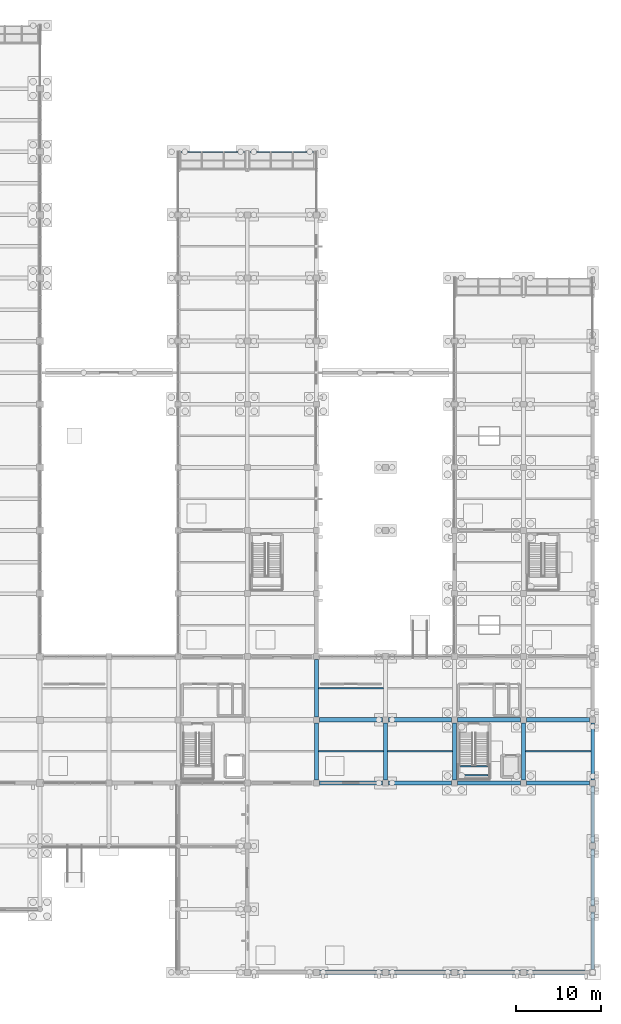
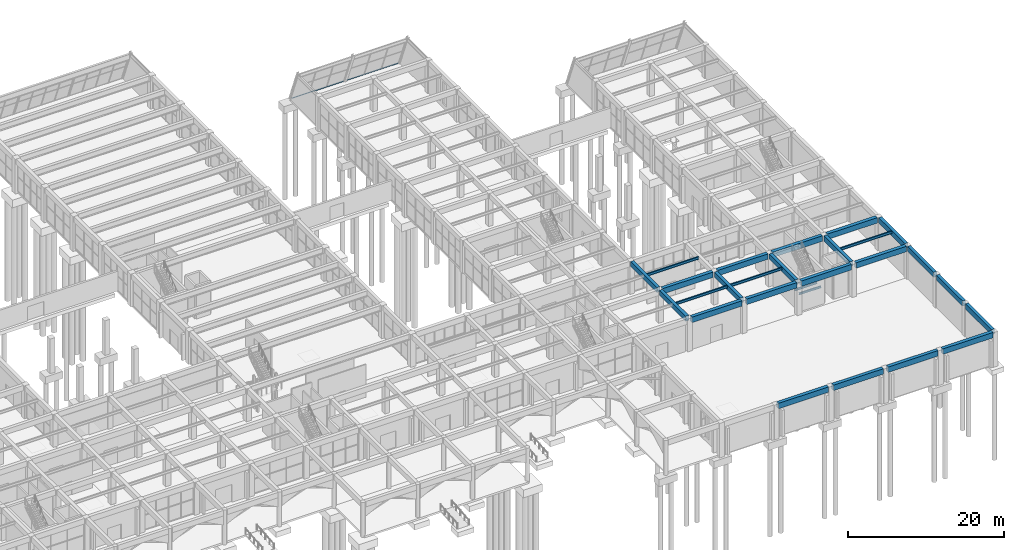
# One storey, part 90 of 140: 27 beams, 2 members, 2 elements without a shape of their own.
"""IFC4 building model written with IfcOpenShell, lengths in metres."""

import ifcopenshell
import ifcopenshell.guid

model = None  # the IFC model being written
_history = None  # IfcOwnerHistory: only IFC2X3 demands one
_inside = {}  # id of a spatial element -> (the spatial element, [elements in it])
_under = {}  # id of a project, library or spatial element -> (it, [spatial elements below it])
_declared = {}  # id of a project -> (the project, [libraries it declares])
_typed = {}  # id of a type object -> (the type object, [elements of that type])
_made_of = {}  # id of a material, layer set ... -> (it, [elements and type objects made of it])


def new_model(schema):
    """Start an empty IFC model of exactly this schema.

    Asked for "IFC4X3", IfcOpenShell would pick the latest addendum, in which some entities
    have other attributes; the version numbers below select the first issue.
    IFC2X3 requires an IfcOwnerHistory on every rooted entity: one is made here for all.
    """
    global model, _history
    if schema == "IFC4X3":
        model = ifcopenshell.file(schema_version=(4, 3, 0, 0))
    else:
        model = ifcopenshell.file(schema=schema)
    _inside.clear()
    _under.clear()
    _declared.clear()
    _typed.clear()
    _made_of.clear()
    _history = None
    if model.schema == "IFC2X3":
        org = make("IfcOrganization", Name="unknown")
        user = make(
            "IfcPersonAndOrganization",
            ThePerson=make("IfcPerson", FamilyName="unknown"),
            TheOrganization=org,
        )
        app = make(
            "IfcApplication",
            ApplicationDeveloper=org,
            Version="unknown",
            ApplicationFullName="unknown",
            ApplicationIdentifier="unknown",
        )
        _history = make(
            "IfcOwnerHistory",
            OwningUser=user,
            OwningApplication=app,
            ChangeAction="ADDED",
            CreationDate=0,
        )
    return model


def make(cls, **values):
    """One entity of the class cls with the attributes given. An attribute that is None is left unset."""
    return model.create_entity(
        cls, **{name: value for name, value in values.items() if value is not None}
    )


def rooted(cls, **values):
    """An entity with a GlobalId (a new one), such as an element, a storey or a relation."""
    return make(cls, GlobalId=ifcopenshell.guid.new(), OwnerHistory=_history, **values)


def si_unit(unit_type, name, prefix=None):
    """IfcSIUnit, for example si_unit("LENGTHUNIT", "METRE", prefix="MILLI")."""
    return make("IfcSIUnit", UnitType=unit_type, Prefix=prefix, Name=name)


def assignment(units):
    """IfcUnitAssignment: the units of a project."""
    return None if units is None else make("IfcUnitAssignment", Units=units)


def point(xyz):
    """IfcCartesianPoint."""
    return None if xyz is None else make("IfcCartesianPoint", Coordinates=xyz)


def direction(xyz):
    """IfcDirection."""
    return None if xyz is None else make("IfcDirection", DirectionRatios=xyz)


def frame(location, z_axis=None, x_axis=None):
    """IfcAxis2Placement3D, a coordinate frame: its origin and axes. An axis left out is left unset."""
    return make(
        "IfcAxis2Placement3D",
        Location=point(location),
        Axis=direction(z_axis),
        RefDirection=direction(x_axis),
    )


def frame_2d(location, x_axis=None):
    """IfcAxis2Placement2D, a coordinate frame in the plane: its origin and x axis."""
    return make(
        "IfcAxis2Placement2D", Location=point(location), RefDirection=direction(x_axis)
    )


def origin():
    """The frame at (0, 0, 0) with its axes left unset."""
    return frame((0.0, 0.0, 0.0))


def origin_2d():
    """The frame at (0, 0) in the plane with its x axis left unset."""
    return frame_2d((0.0, 0.0))


def place(relative_to, where):
    """IfcLocalPlacement: puts the frame where relative to a parent placement (None: the world)."""
    return make(
        "IfcLocalPlacement", PlacementRelTo=relative_to, RelativePlacement=where
    )


def context(
    kind, dimensions, precision=None, world=None, true_north=None, identifier=None
):
    """IfcGeometricRepresentationContext, for example the 3D "Model" context."""
    return make(
        "IfcGeometricRepresentationContext",
        ContextIdentifier=identifier,
        ContextType=kind,
        CoordinateSpaceDimension=dimensions,
        Precision=precision,
        WorldCoordinateSystem=world,
        TrueNorth=true_north,
    )


def subcontext(parent, identifier, kind, view, scale=None):
    """IfcGeometricRepresentationSubContext, for example "Body" below "Model"."""
    return make(
        "IfcGeometricRepresentationSubContext",
        ContextIdentifier=identifier,
        ContextType=kind,
        ParentContext=parent,
        TargetScale=scale,
        TargetView=view,
    )


def project(units=None, contexts=None):
    """IfcProject with its units and contexts."""
    return rooted(
        "IfcProject",
        Name="project",
        RepresentationContexts=contexts,
        UnitsInContext=assignment(units),
    )


def spatial(cls, under=None, at=None, **own):
    """A site, building, storey or space (cls), placed at a placement, below another one or the project."""
    s = rooted(cls, ObjectPlacement=at, **own)
    if under is not None:
        _under.setdefault(under.id(), (under, []))[1].append(s)
    return s


def profile(cls, at=None, kind="AREA", **sizes):
    """A parametric profile (cls). Its sizes go by their IFC names, for example OverallWidth=200.0."""
    return make(cls, ProfileType=kind, Position=at, **sizes)


def rectangle(**sizes):
    """IfcRectangleProfileDef."""
    return profile("IfcRectangleProfileDef", **sizes)


def hollow_rectangle(**sizes):
    """IfcRectangleHollowProfileDef."""
    return profile("IfcRectangleHollowProfileDef", **sizes)


def i_section(**sizes):
    """IfcIShapeProfileDef."""
    return profile("IfcIShapeProfileDef", **sizes)


def extrude(swept, where, along, depth):
    """IfcExtrudedAreaSolid: the profile swept, set in the frame where, extruded along a direction by depth."""
    return make(
        "IfcExtrudedAreaSolid",
        SweptArea=swept,
        Position=where,
        ExtrudedDirection=direction(along),
        Depth=depth,
    )


def shape(context_of_items, identifier, shape_type, items):
    """IfcShapeRepresentation: the items that make up one representation, for example the "Body"."""
    return make(
        "IfcShapeRepresentation",
        ContextOfItems=context_of_items,
        RepresentationIdentifier=identifier,
        RepresentationType=shape_type,
        Items=items,
    )


def material(Name=None, Category=None):
    """IfcMaterial."""
    return make("IfcMaterial", Name=Name, Category=Category)


def material_profile(
    of_material, cross_section, Name=None, Category=None, Priority=None
):
    """IfcMaterialProfile: a cross section and its material."""
    return make(
        "IfcMaterialProfile",
        Name=Name,
        Material=of_material,
        Profile=cross_section,
        Priority=Priority,
        Category=Category,
    )


def profile_set(profiles, Name=None, composite=None):
    """IfcMaterialProfileSet."""
    return make(
        "IfcMaterialProfileSet",
        Name=Name,
        MaterialProfiles=profiles,
        CompositeProfile=composite,
    )


def made_of(thing, what):
    """Note that an element or type object is made of a material, layer set ...; save() writes the relation."""
    if what is not None:
        _made_of.setdefault(what.id(), (what, []))[1].append(thing)
    return thing


def type_object(cls, material=None, **own):
    """A type object (cls), such as IfcWallType, which elements share."""
    return made_of(rooted(cls, **own), material)


def element(
    cls,
    number,
    at=None,
    inside=None,
    cuts=None,
    type_object=None,
    material=None,
    context=None,
    identifier="Body",
    shape_type=None,
    held_by="IfcProductDefinitionShape",
    body=None,
    shapes=None,
    **own,
):
    """One element of the class cls, such as IfcWall. Its Tag is "e" and its number.

    at: its placement. inside: the storey or other place that contains it. cuts: it is an
    opening in that element (IfcRelVoidsElement). A single representation is given by context,
    identifier, shape_type and body (its items); several are given by shapes. held_by: the class
    of the entity that holds the representations. save() writes the other relations.
    """
    e = rooted(cls, Tag="e%d" % number, ObjectPlacement=at, **own)
    if body is not None:
        shapes = [shape(context, identifier, shape_type, body)]
    if shapes is not None:
        e.Representation = make(held_by, Representations=shapes)
    if inside is not None:
        _inside.setdefault(inside.id(), (inside, []))[1].append(e)
    if cuts is not None:
        rooted(
            "IfcRelVoidsElement", RelatingBuildingElement=cuts, RelatedOpeningElement=e
        )
    if type_object is not None:
        _typed.setdefault(type_object.id(), (type_object, []))[1].append(e)
    return made_of(e, material)


def aggregate(whole, parts):
    """IfcRelAggregates: a whole, such as a stair, and the parts it consists of."""
    return rooted("IfcRelAggregates", RelatingObject=whole, RelatedObjects=parts)


def save(model, path):
    """Write the relations noted so far, then the file.

    IfcRelAggregates (storeys below a building ...), IfcRelContainedInSpatialStructure (elements
    in a storey), IfcRelDefinesByType, IfcRelAssociatesMaterial and IfcRelDeclares: one each for
    every whole, place, type object, material and project.
    """
    for whole, parts in _under.values():
        aggregate(whole, parts)
    for where, things in _inside.values():
        rooted(
            "IfcRelContainedInSpatialStructure",
            RelatedElements=things,
            RelatingStructure=where,
        )
    for kind, things in _typed.values():
        rooted("IfcRelDefinesByType", RelatedObjects=things, RelatingType=kind)
    for what, things in _made_of.values():
        rooted("IfcRelAssociatesMaterial", RelatedObjects=things, RelatingMaterial=what)
    for by, libraries in _declared.values():
        rooted("IfcRelDeclares", RelatingContext=by, RelatedDefinitions=libraries)
    model.write(path)


model = new_model("IFC4")

# Units and contexts
model_context = context("Model", 3, precision=1e-05, world=origin(), true_north=direction((0.0, 1.0)))
body_context = subcontext(model_context, "Body", "Model", "MODEL_VIEW")
ifc_project = project(units=[si_unit("LENGTHUNIT", "METRE"), si_unit("AREAUNIT", "SQUARE_METRE"), si_unit("VOLUMEUNIT", "CUBIC_METRE"), si_unit("PLANEANGLEUNIT", "RADIAN"), si_unit("MASSUNIT", "GRAM", prefix="KILO")], contexts=[model_context])

# Site, building, storey
site_placement = place(None, origin())
site = spatial("IfcSite", under=ifc_project, at=site_placement, CompositionType="ELEMENT")
building_placement = place(site_placement, origin())
building = spatial("IfcBuilding", under=site, at=building_placement, Name="Cimatlan Art Gallery", CompositionType="ELEMENT")
storey_placement = place(building_placement, origin())
storey = spatial("IfcBuildingStorey", under=building, at=storey_placement, Name="L00", CompositionType="ELEMENT", Elevation=0.0)

# Beams
ifc_material_1 = material(Name="Concrete C40/50", Category="concrete")
ifc_material_profile_1 = material_profile(ifc_material_1, rectangle(XDim=0.449951171875, YDim=0.800048828125, at=origin_2d()), Name="RC450X800")
ifc_profile_set_1 = profile_set([ifc_material_profile_1], Name="Concrete C40/50")
beam_type_1 = type_object("IfcBeamType", Name="BM-RC-450X800", PredefinedType="BEAM", material=ifc_profile_set_1)
beam_1_placement = place(storey_placement, frame((131.60009765625, 24.25, 4.735107421875), z_axis=(0.0, 1.0, 0.0), x_axis=(-1.0, 0.0, 0.0)))
element("IfcBeam", 1, at=beam_1_placement, inside=storey, type_object=beam_type_1, Name="BM-Y-L00-16-03", PredefinedType="BEAM", context=body_context, shape_type="SweptSolid", body=[
    extrude(rectangle(XDim=0.449951171875, YDim=0.800048828125, at=origin_2d()), origin(), (0.0, 0.0, 1.0), 6.699951171875),
])
beam_2_placement = place(storey_placement, frame((131.60009765625, 31.64990234375, 4.735107421875), z_axis=(0.0, 1.0, 0.0), x_axis=(-1.0, 0.0, 0.0)))
element("IfcBeam", 2, at=beam_2_placement, inside=storey, type_object=beam_type_1, Name="BM-Y-L00-16-04", PredefinedType="BEAM", context=body_context, shape_type="SweptSolid", body=[
    extrude(rectangle(XDim=0.449951171875, YDim=0.800048828125, at=origin_2d()), origin(), (0.0, 0.0, 1.0), 6.7001953125),
])
for number, where, z_axis, x_axis, name in (
    (3, (139.699951171875, 24.25, 4.735107421875), (0.0, 1.0, 0.0), (-1.0, 0.0, 0.0), "BM-Y-L00-17-03"),
    (4, (147.800048828125, 24.25, 4.735107421875), (0.0, 1.0, 0.0), (-1.0, 0.0, 0.0), "BM-Y-L00-18-03"),
    (5, (155.89990234375, 24.25, 4.735107421875), (0.0, 1.0, 0.0), (-1.0, 0.0, 0.0), "BM-Y-L00-19-03"),
    (6, (164.0, 2.050048828125, 4.735107421875), (0.0, 1.0, 0.0), (-1.0, 0.0, 0.0), "BM-Y-L00-20-00"),
    (7, (164.0, 9.449951171875, 4.735107421875), (0.0, 1.0, 0.0), (-1.0, 0.0, 0.0), "BM-Y-L00-20-01"),
    (8, (164.0, 16.85009765625, 4.735107421875), (0.0, 1.0, 0.0), (-1.0, 0.0, 0.0), "BM-Y-L00-20-02"),
    (9, (164.0, 24.25, 4.735107421875), (0.0, 1.0, 0.0), (-1.0, 0.0, 0.0), "BM-Y-L00-20-03"),
):
    element("IfcBeam", number, at=place(storey_placement, frame(where, z_axis=z_axis, x_axis=x_axis)), inside=storey, type_object=beam_type_1, Name=name, PredefinedType="BEAM", context=body_context, shape_type="SweptSolid", body=[
        extrude(rectangle(XDim=0.449951171875, YDim=0.800048828125, at=origin_2d()), origin(), (0.0, 0.0, 1.0), 6.699951171875),
    ])
ifc_material_profile_2 = material_profile(ifc_material_1, rectangle(XDim=0.5, YDim=0.85009765625, at=origin_2d()), Name="RC500X850")
ifc_profile_set_2 = profile_set([ifc_material_profile_2], Name="Concrete C40/50")
beam_type_2 = type_object("IfcBeamType", Name="BM-RC-500X850", PredefinedType="BEAM", material=ifc_profile_set_2)
for number, where, z_axis, x_axis, name in (
    (10, (131.949951171875, 1.699951171875, 4.7099609375), (1.0, 0.0, 0.0), (0.0, 1.0, 0.0), "BM-X-L00-16-00"),
    (11, (131.949951171875, 23.89990234375, 4.7099609375), (1.0, 0.0, 0.0), (0.0, 1.0, 0.0), "BM-X-L00-16-03"),
    (12, (131.949951171875, 31.300048828125, 4.7099609375), (1.0, 0.0, 0.0), (0.0, 1.0, 0.0), "BM-X-L00-16-04"),
):
    element("IfcBeam", number, at=place(storey_placement, frame(where, z_axis=z_axis, x_axis=x_axis)), inside=storey, type_object=beam_type_2, Name=name, PredefinedType="BEAM", context=body_context, shape_type="SweptSolid", body=[
        extrude(rectangle(XDim=0.5, YDim=0.85009765625, at=origin_2d()), origin(), (0.0, 0.0, 1.0), 7.400146484375),
    ])
for number, where, z_axis, x_axis, name in (
    (13, (140.050048828125, 1.699951171875, 4.7099609375), (1.0, 0.0, 0.0), (0.0, 1.0, 0.0), "BM-X-L00-17-00"),
    (14, (140.050048828125, 23.89990234375, 4.7099609375), (1.0, 0.0, 0.0), (0.0, 1.0, 0.0), "BM-X-L00-17-03"),
    (15, (140.050048828125, 31.300048828125, 4.7099609375), (1.0, 0.0, 0.0), (0.0, 1.0, 0.0), "BM-X-L00-17-04"),
):
    element("IfcBeam", number, at=place(storey_placement, frame(where, z_axis=z_axis, x_axis=x_axis)), inside=storey, type_object=beam_type_2, Name=name, PredefinedType="BEAM", context=body_context, shape_type="SweptSolid", body=[
        extrude(rectangle(XDim=0.5, YDim=0.85009765625, at=origin_2d()), origin(), (0.0, 0.0, 1.0), 7.39990234375),
    ])
for number, where, z_axis, x_axis, name in (
    (16, (148.14990234375, 1.699951171875, 4.7099609375), (1.0, 0.0, 0.0), (0.0, 1.0, 0.0), "BM-X-L00-18-00"),
    (17, (148.14990234375, 23.89990234375, 4.7099609375), (1.0, 0.0, 0.0), (0.0, 1.0, 0.0), "BM-X-L00-18-03"),
    (18, (148.14990234375, 31.300048828125, 4.7099609375), (1.0, 0.0, 0.0), (0.0, 1.0, 0.0), "BM-X-L00-18-04"),
):
    element("IfcBeam", number, at=place(storey_placement, frame(where, z_axis=z_axis, x_axis=x_axis)), inside=storey, type_object=beam_type_2, Name=name, PredefinedType="BEAM", context=body_context, shape_type="SweptSolid", body=[
        extrude(rectangle(XDim=0.5, YDim=0.85009765625, at=origin_2d()), origin(), (0.0, 0.0, 1.0), 7.400146484375),
    ])
for number, where, z_axis, x_axis, name in (
    (19, (156.25, 1.699951171875, 4.7099609375), (1.0, 0.0, 0.0), (0.0, 1.0, 0.0), "BM-X-L00-19-00"),
    (20, (156.25, 23.89990234375, 4.7099609375), (1.0, 0.0, 0.0), (0.0, 1.0, 0.0), "BM-X-L00-19-03"),
    (21, (156.25, 31.300048828125, 4.7099609375), (1.0, 0.0, 0.0), (0.0, 1.0, 0.0), "BM-X-L00-19-04"),
):
    element("IfcBeam", number, at=place(storey_placement, frame(where, z_axis=z_axis, x_axis=x_axis)), inside=storey, type_object=beam_type_2, Name=name, PredefinedType="BEAM", context=body_context, shape_type="SweptSolid", body=[
        extrude(rectangle(XDim=0.5, YDim=0.85009765625, at=origin_2d()), origin(), (0.0, 0.0, 1.0), 7.39990234375),
    ])
ifc_material_2 = material(Name="Steel ASTM A992 Grade 50", Category="steel")
ifc_material_profile_3 = material_profile(ifc_material_2, i_section(OverallWidth=0.1650390625, OverallDepth=0.31005859375, WebThickness=0.005859375, FlangeThickness=0.009765625, at=origin_2d()), Name="W12X26")
ifc_profile_set_3 = profile_set([ifc_material_profile_3], Name="Steel ASTM A992 Grade 50")
beam_type_3 = type_object("IfcBeamType", Name="BM-STL-W12X26", PredefinedType="JOIST", material=ifc_profile_set_3)
for number, where, z_axis, x_axis, name in (
    (22, (148.4150390625, 24.800048828125, 2.324951171875), (1.0, 0.0, 0.0), (0.0, 1.0, 0.0), "BM-STR-C5-L00-LH1"),
    (23, (148.4150390625, 25.85498046875, 2.324951171875), (1.0, 0.0, 0.0), (0.0, 1.0, 0.0), "BM-STR-C5-L00-LH2"),
):
    element("IfcBeam", number, at=place(storey_placement, frame(where, z_axis=z_axis, x_axis=x_axis)), inside=storey, type_object=beam_type_3, Name=name, PredefinedType="JOIST", context=body_context, shape_type="SweptSolid", body=[
        extrude(i_section(OverallWidth=0.1650390625, OverallDepth=0.31005859375, WebThickness=0.005859375, FlangeThickness=0.009765625, at=origin_2d()), origin(), (0.0, 0.0, 1.0), 3.2900390625),
    ])
ifc_material_profile_4 = material_profile(ifc_material_2, i_section(OverallWidth=0.177978515625, OverallDepth=0.406982421875, WebThickness=0.0078125, FlangeThickness=0.0126953125, at=origin_2d()), Name="W16X40")
ifc_profile_set_4 = profile_set([ifc_material_profile_4], Name="Steel ASTM A992 Grade 50")
beam_type_4 = type_object("IfcBeamType", Name="BM-STL-W16X40", PredefinedType="JOIST", material=ifc_profile_set_4)
for number, where, z_axis, x_axis, name in (
    (24, (131.824951171875, 27.60009765625, 4.931396484375), (1.0, 0.0, 0.0), (0.0, 1.0, 0.0), "JST-L00-16-03"),
    (25, (131.824951171875, 35.0, 4.931396484375), (1.0, 0.0, 0.0), (0.0, 1.0, 0.0), "JST-L00-16-04"),
):
    element("IfcBeam", number, at=place(storey_placement, frame(where, z_axis=z_axis, x_axis=x_axis)), inside=storey, type_object=beam_type_4, Name=name, PredefinedType="JOIST", context=body_context, shape_type="SweptSolid", body=[
        extrude(i_section(OverallWidth=0.177978515625, OverallDepth=0.406982421875, WebThickness=0.0078125, FlangeThickness=0.0126953125, at=origin_2d()), origin(), (0.0, 0.0, 1.0), 7.650146484375),
    ])
for number, where, z_axis, x_axis, name in (
    (26, (139.925048828125, 27.60009765625, 4.931396484375), (1.0, 0.0, 0.0), (0.0, 1.0, 0.0), "JST-L00-17-03"),
    (27, (156.125, 27.60009765625, 4.931396484375), (1.0, 0.0, 0.0), (0.0, 1.0, 0.0), "JST-L00-19-03"),
):
    element("IfcBeam", number, at=place(storey_placement, frame(where, z_axis=z_axis, x_axis=x_axis)), inside=storey, type_object=beam_type_4, Name=name, PredefinedType="JOIST", context=body_context, shape_type="SweptSolid", body=[
        extrude(i_section(OverallWidth=0.177978515625, OverallDepth=0.406982421875, WebThickness=0.0078125, FlangeThickness=0.0126953125, at=origin_2d()), origin(), (0.0, 0.0, 1.0), 7.64990234375),
    ])

# Curtain wall, member
ifc_material_3 = material(Name="Raked steel-and-bronze lancet curtain wall", Category="steel")
curtain_wall_type = type_object("IfcCurtainWallType", Name="CW-RAK-07660X05503-B3", PredefinedType="NOTDEFINED", material=ifc_material_3)
curtain_wall_1_placement = place(storey_placement, origin())
curtain_wall_1 = element("IfcCurtainWall", 28, at=curtain_wall_1_placement, inside=storey, type_object=curtain_wall_type, Name="CW-PROW-L00-B4-14", PredefinedType="NOTDEFINED")
ifc_material_4 = material(Name="Anodised bronze aluminium 6063-T6", Category="aluminium")
ifc_material_profile_5 = material_profile(ifc_material_4, hollow_rectangle(XDim=0.06494140625, YDim=0.139892578125, WallThickness=0.00390625, at=origin_2d()), Name="ALU65X140X4")
ifc_profile_set_5 = profile_set([ifc_material_profile_5], Name="Anodised bronze aluminium 6063-T6")
member_type = type_object("IfcMemberType", Name="CW-TRN-140", PredefinedType="USERDEFINED", material=ifc_profile_set_5)
member_1_placement = place(storey_placement, frame((115.6201171875, 97.859619140625, 0.102294921875), z_axis=(1.0, 0.0, 0.0), x_axis=(0.0, 1.0, 0.0)))
member_1 = element("IfcMember", 29, at=member_1_placement, type_object=member_type, Name="CW-PROW-L00-B4-14-T1", ObjectType="TRANSOM", PredefinedType="USERDEFINED", context=body_context, shape_type="SweptSolid", body=[
    extrude(hollow_rectangle(XDim=0.06494140625, YDim=0.139892578125, WallThickness=0.00390625, at=origin_2d()), origin(), (0.0, 0.0, 1.0), 7.659912109375),
])
aggregate(curtain_wall_1, [member_1])

curtain_wall_2_placement = place(storey_placement, origin())
curtain_wall_2 = element("IfcCurtainWall", 30, at=curtain_wall_2_placement, inside=storey, type_object=curtain_wall_type, Name="CW-PROW-L00-B4-15", PredefinedType="NOTDEFINED")
member_2_placement = place(storey_placement, frame((123.719970703125, 97.859619140625, 0.102294921875), z_axis=(1.0, 0.0, 0.0), x_axis=(0.0, 1.0, 0.0)))
member_2 = element("IfcMember", 31, at=member_2_placement, type_object=member_type, Name="CW-PROW-L00-B4-15-T1", ObjectType="TRANSOM", PredefinedType="USERDEFINED", context=body_context, shape_type="SweptSolid", body=[
    extrude(hollow_rectangle(XDim=0.06494140625, YDim=0.139892578125, WallThickness=0.00390625, at=origin_2d()), origin(), (0.0, 0.0, 1.0), 7.659912109375),
])
aggregate(curtain_wall_2, [member_2])

save(model, "model.ifc")
